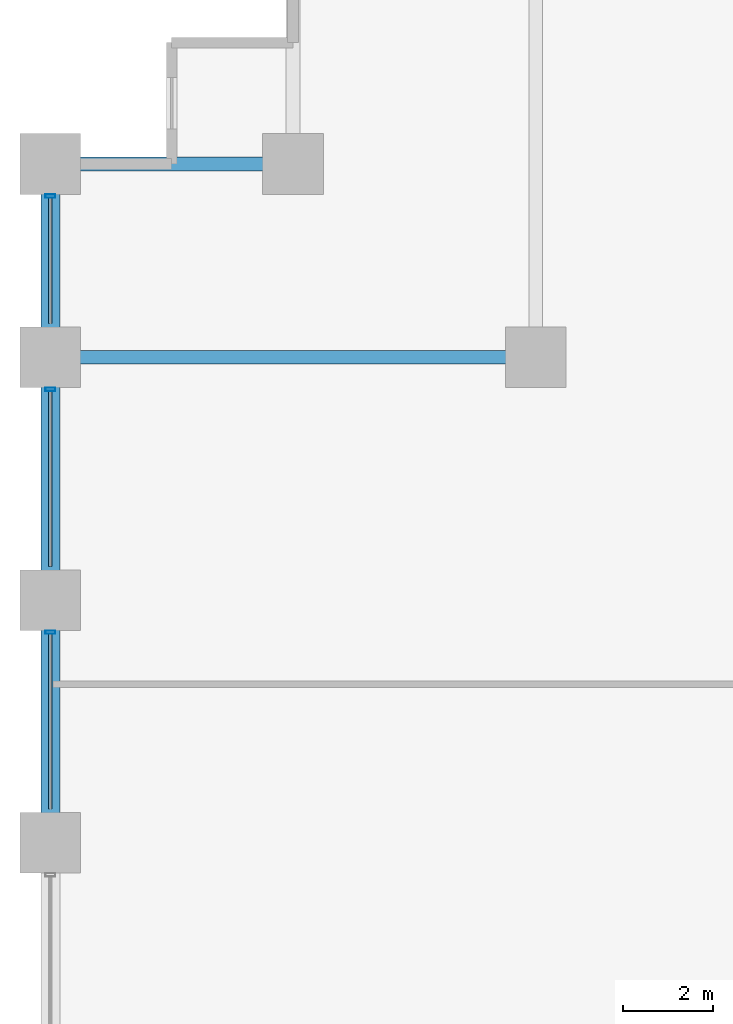
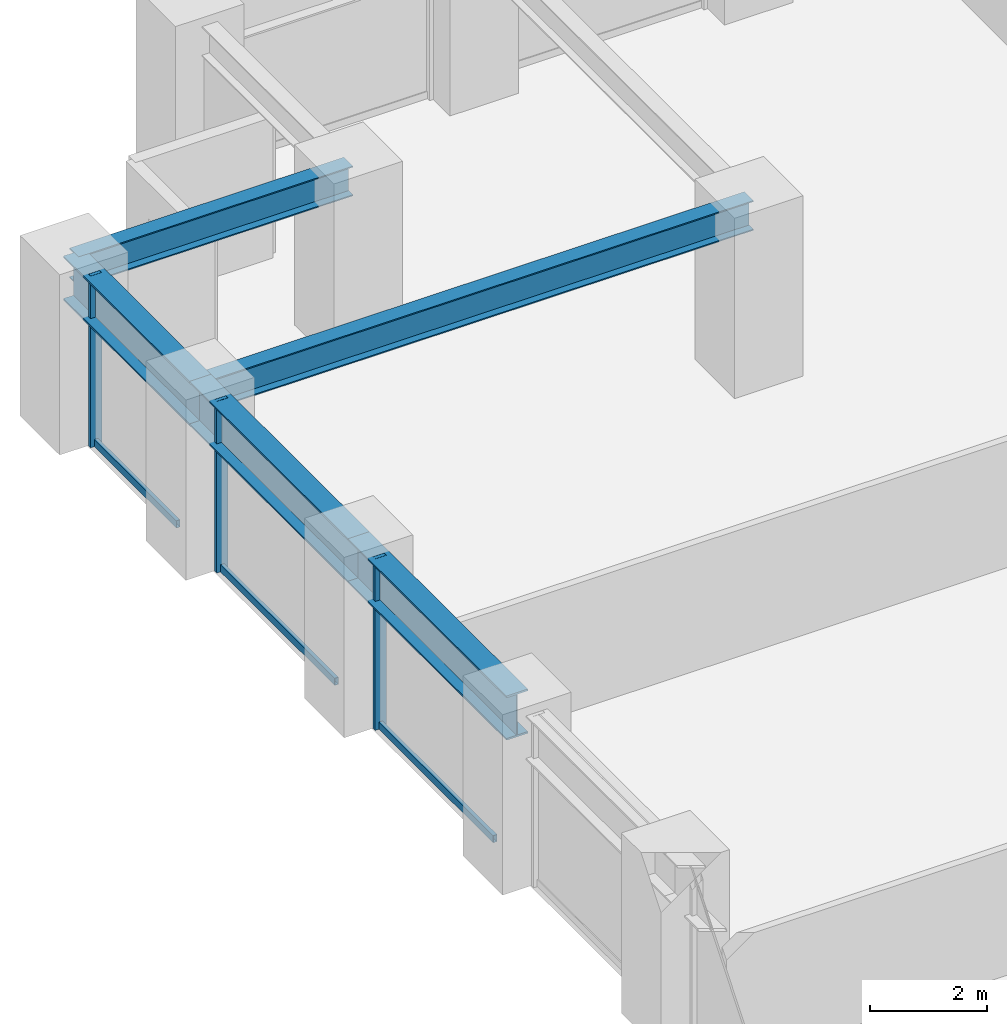
# One storey, part 10 of 25: 6 members, 5 beams, 1 element without a shape of its own.
"""IFC4 building model written with IfcOpenShell, lengths in metres."""

from ifc_helpers import new_model, si_unit, direction, frame, origin, origin_2d, place, context, subcontext, project, spatial, hollow_rectangle, i_section, extrude, material, layer, layer_set, material_profile, profile_set, type_object, element, aggregate, save


model = new_model("IFC4")

# Units and contexts
model_context = context("Model", 3, precision=1e-05, world=origin(), true_north=direction((0.0, 1.0)))
body_context = subcontext(model_context, "Body", "Model", "MODEL_VIEW")
ifc_project = project(units=[si_unit("LENGTHUNIT", "METRE"), si_unit("AREAUNIT", "SQUARE_METRE"), si_unit("VOLUMEUNIT", "CUBIC_METRE"), si_unit("PLANEANGLEUNIT", "RADIAN"), si_unit("MASSUNIT", "GRAM", prefix="KILO")], contexts=[model_context])

# Site, building, storey
site_placement = place(None, origin())
site = spatial("IfcSite", under=ifc_project, at=site_placement, CompositionType="ELEMENT")
building_placement = place(site_placement, origin())
building = spatial("IfcBuilding", under=site, at=building_placement, Name="Surkhivell Harbour Commons", CompositionType="ELEMENT")
storey_placement = place(building_placement, frame((0.0, 0.0, 48.75)))
storey = spatial("IfcBuildingStorey", under=building, at=storey_placement, Name="L12", CompositionType="ELEMENT", Elevation=48.75)

# Beams
ifc_material_1 = material(Name="Steel S355", Category="steel")
ifc_material_profile_1 = material_profile(ifc_material_1, i_section(OverallWidth=0.306884765625, OverallDepth=0.6201171875, WebThickness=0.01416015625, FlangeThickness=0.023681640625, at=origin_2d()), Name="UB610x305x179")
ifc_profile_set_1 = profile_set([ifc_material_profile_1], Name="Steel S355")
beam_type_1 = type_object("IfcBeamType", Name="BM-GRD-610A", PredefinedType="BEAM", material=ifc_profile_set_1)
beam_1_placement = place(storey_placement, frame((-32.39990234375, 16.199951171875, 3.260009765625), z_axis=(1.0, 0.0, 0.0), x_axis=(0.0, 1.0, 0.0)))
element("IfcBeam", 1, at=beam_1_placement, inside=storey, type_object=beam_type_1, Name="L12 Floor Girder (-32.4,16.2)", PredefinedType="BEAM", context=body_context, shape_type="SweptSolid", body=[
    extrude(i_section(OverallWidth=0.306884765625, OverallDepth=0.6201171875, WebThickness=0.01416015625, FlangeThickness=0.023681640625, at=origin_2d()), origin(), (0.0, 0.0, 1.0), 10.7998046875),
])
beam_2_placement = place(storey_placement, frame((-32.39990234375, 20.5, 3.260009765625), z_axis=(1.0, 0.0, 0.0), x_axis=(0.0, 1.0, 0.0)))
element("IfcBeam", 2, at=beam_2_placement, inside=storey, type_object=beam_type_1, Name="L12 Floor Girder (-32.4,20.5)", PredefinedType="BEAM", context=body_context, shape_type="SweptSolid", body=[
    extrude(i_section(OverallWidth=0.306884765625, OverallDepth=0.6201171875, WebThickness=0.01416015625, FlangeThickness=0.023681640625, at=origin_2d()), origin(), (0.0, 0.0, 1.0), 5.39990234375),
])
ifc_material_2 = material(Name="Steel S460", Category="steel")
ifc_material_profile_2 = material_profile(ifc_material_2, i_section(OverallWidth=0.419921875, OverallDepth=0.9208984375, WebThickness=0.021484375, FlangeThickness=0.03662109375, at=origin_2d()), Name="UB914x419x388")
ifc_profile_set_2 = profile_set([ifc_material_profile_2], Name="Steel S460")
beam_type_2 = type_object("IfcBeamType", Name="BM-SPN-914A", PredefinedType="SPANDREL", material=ifc_profile_set_2)
beam_3_placement = place(storey_placement, frame((-32.39990234375, 5.39990234375, 3.109619140625), z_axis=(0.0, 1.0, 0.0), x_axis=(-1.0, 0.0, 0.0)))
element("IfcBeam", 3, at=beam_3_placement, inside=storey, type_object=beam_type_2, Name="L12 Tube Spandrel (-32.4,5.4)", PredefinedType="SPANDREL", context=body_context, shape_type="SweptSolid", body=[
    extrude(i_section(OverallWidth=0.419921875, OverallDepth=0.9208984375, WebThickness=0.021484375, FlangeThickness=0.03662109375, at=origin_2d()), origin(), (0.0, 0.0, 1.0), 5.400146484375),
])
beam_4_placement = place(storey_placement, frame((-32.39990234375, 10.800048828125, 3.109619140625), z_axis=(0.0, 1.0, 0.0), x_axis=(-1.0, 0.0, 0.0)))
element("IfcBeam", 4, at=beam_4_placement, inside=storey, type_object=beam_type_2, Name="L12 Tube Spandrel (-32.4,10.8)", PredefinedType="SPANDREL", context=body_context, shape_type="SweptSolid", body=[
    extrude(i_section(OverallWidth=0.419921875, OverallDepth=0.9208984375, WebThickness=0.021484375, FlangeThickness=0.03662109375, at=origin_2d()), origin(), (0.0, 0.0, 1.0), 5.39990234375),
])
beam_5_placement = place(storey_placement, frame((-32.39990234375, 16.199951171875, 3.109619140625), z_axis=(0.0, 1.0, 0.0), x_axis=(-1.0, 0.0, 0.0)))
element("IfcBeam", 5, at=beam_5_placement, inside=storey, type_object=beam_type_2, Name="L12 Tube Spandrel (-32.4,16.2)", PredefinedType="SPANDREL", context=body_context, shape_type="SweptSolid", body=[
    extrude(i_section(OverallWidth=0.419921875, OverallDepth=0.9208984375, WebThickness=0.021484375, FlangeThickness=0.03662109375, at=origin_2d()), origin(), (0.0, 0.0, 1.0), 4.300048828125),
])

# Curtain wall, members
ifc_material_3 = material(Name="Anodised pale-metal aluminium and insulated glazing", Category="aluminium")
ifc_layer = layer(ifc_material_3, 0.219970703125)
ifc_layer_set = layer_set([ifc_layer], Name="Anodised pale-metal aluminium and insulated glazing")
curtain_wall_type = type_object("IfcCurtainWallType", Name="CW-SYS-Z1", PredefinedType="NOTDEFINED", material=ifc_layer_set)
curtain_wall_placement = place(storey_placement, origin())
curtain_wall = element("IfcCurtainWall", 6, at=curtain_wall_placement, inside=storey, type_object=curtain_wall_type, Name="L12 Curtain Wall CW-L12-E12S1", PredefinedType="NOTDEFINED")
ifc_material_4 = material(Name="Anodised pale-metal aluminium alloy 6063-T6", Category="aluminium")
ifc_material_profile_3 = material_profile(ifc_material_4, hollow_rectangle(XDim=0.074951171875, YDim=0.219970703125, WallThickness=0.00390625, at=origin_2d()), Name="ALU-MULL-75x220")
ifc_profile_set_3 = profile_set([ifc_material_profile_3], Name="Anodised pale-metal aluminium alloy 6063-T6")
member_type_1 = type_object("IfcMemberType", Name="CWM-220", PredefinedType="MULLION", material=ifc_profile_set_3)
member_1_placement = place(storey_placement, frame((-32.39990234375, 19.785400390625, 0.0), z_axis=(0.0, 0.0, 1.0), x_axis=(0.0, -1.0, 0.0)))
member_1 = element("IfcMember", 7, at=member_1_placement, type_object=member_type_1, Name="CW-Z1 mullion 1", PredefinedType="MULLION", context=body_context, shape_type="SweptSolid", body=[
    extrude(hollow_rectangle(XDim=0.074951171875, YDim=0.219970703125, WallThickness=0.00390625, at=origin_2d()), origin(), (0.0, 0.0, 1.0), 3.570068359375),
])
member_2_placement = place(storey_placement, frame((-32.39990234375, 15.485595703125, 0.0), z_axis=(0.0, 0.0, 1.0), x_axis=(0.0, -1.0, 0.0)))
member_2 = element("IfcMember", 8, at=member_2_placement, type_object=member_type_1, Name="CW-Z1 mullion 2", PredefinedType="MULLION", context=body_context, shape_type="SweptSolid", body=[
    extrude(hollow_rectangle(XDim=0.074951171875, YDim=0.219970703125, WallThickness=0.00390625, at=origin_2d()), origin(), (0.0, 0.0, 1.0), 3.570068359375),
])
member_3_placement = place(storey_placement, frame((-32.39990234375, 10.08544921875, 0.0), z_axis=(0.0, 0.0, 1.0), x_axis=(0.0, -1.0, 0.0)))
member_3 = element("IfcMember", 9, at=member_3_placement, type_object=member_type_1, Name="CW-Z1 mullion 3", PredefinedType="MULLION", context=body_context, shape_type="SweptSolid", body=[
    extrude(hollow_rectangle(XDim=0.074951171875, YDim=0.219970703125, WallThickness=0.00390625, at=origin_2d()), origin(), (0.0, 0.0, 1.0), 3.570068359375),
])
ifc_material_profile_4 = material_profile(ifc_material_4, hollow_rectangle(XDim=0.074951171875, YDim=0.14990234375, WallThickness=0.00341796875, at=origin_2d()), Name="ALU-TRAN-75x150")
ifc_profile_set_4 = profile_set([ifc_material_profile_4], Name="Anodised pale-metal aluminium alloy 6063-T6")
member_type_2 = type_object("IfcMemberType", Name="CWT-150", PredefinedType="USERDEFINED", material=ifc_profile_set_4)
member_4_placement = place(storey_placement, frame((-32.39990234375, 19.748046875, 0.074951171875), z_axis=(0.0, -1.0, 0.0), x_axis=(1.0, 0.0, 0.0)))
member_4 = element("IfcMember", 10, at=member_4_placement, type_object=member_type_2, Name="CW-Z1 transom 1.1", ObjectType="TRANSOM", PredefinedType="USERDEFINED", context=body_context, shape_type="SweptSolid", body=[
    extrude(hollow_rectangle(XDim=0.074951171875, YDim=0.14990234375, WallThickness=0.00341796875, at=origin_2d()), origin(), (0.0, 0.0, 1.0), 2.796142578125),
])
member_5_placement = place(storey_placement, frame((-32.39990234375, 15.447998046875, 0.074951171875), z_axis=(0.0, -1.0, 0.0), x_axis=(1.0, 0.0, 0.0)))
member_5 = element("IfcMember", 11, at=member_5_placement, type_object=member_type_2, Name="CW-Z1 transom 2.1", ObjectType="TRANSOM", PredefinedType="USERDEFINED", context=body_context, shape_type="SweptSolid", body=[
    extrude(hollow_rectangle(XDim=0.074951171875, YDim=0.14990234375, WallThickness=0.00341796875, at=origin_2d()), origin(), (0.0, 0.0, 1.0), 3.89599609375),
])
member_6_placement = place(storey_placement, frame((-32.39990234375, 10.048095703125, 0.074951171875), z_axis=(0.0, -1.0, 0.0), x_axis=(1.0, 0.0, 0.0)))
member_6 = element("IfcMember", 12, at=member_6_placement, type_object=member_type_2, Name="CW-Z1 transom 3.1", ObjectType="TRANSOM", PredefinedType="USERDEFINED", context=body_context, shape_type="SweptSolid", body=[
    extrude(hollow_rectangle(XDim=0.074951171875, YDim=0.14990234375, WallThickness=0.00341796875, at=origin_2d()), origin(), (0.0, 0.0, 1.0), 3.89599609375),
])
aggregate(curtain_wall, [member_1, member_4, member_2, member_5, member_3, member_6])

save(model, "model.ifc")
